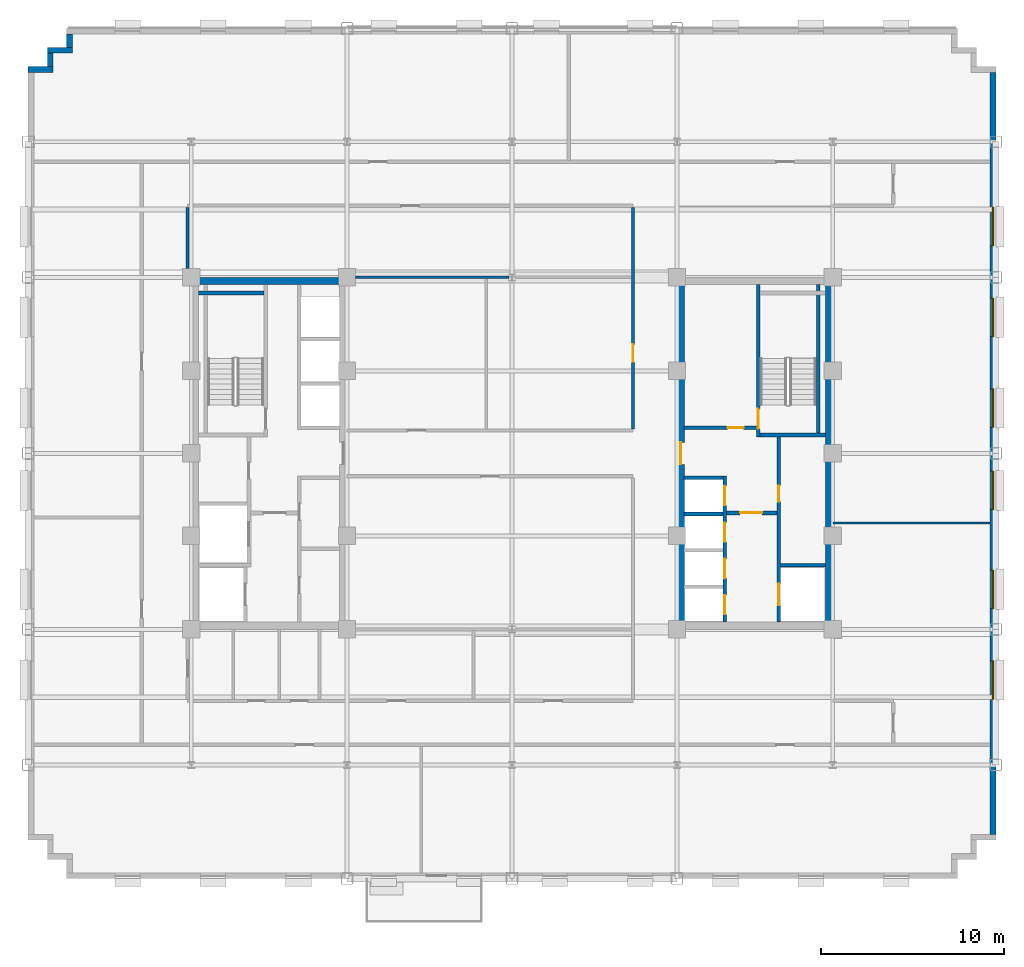
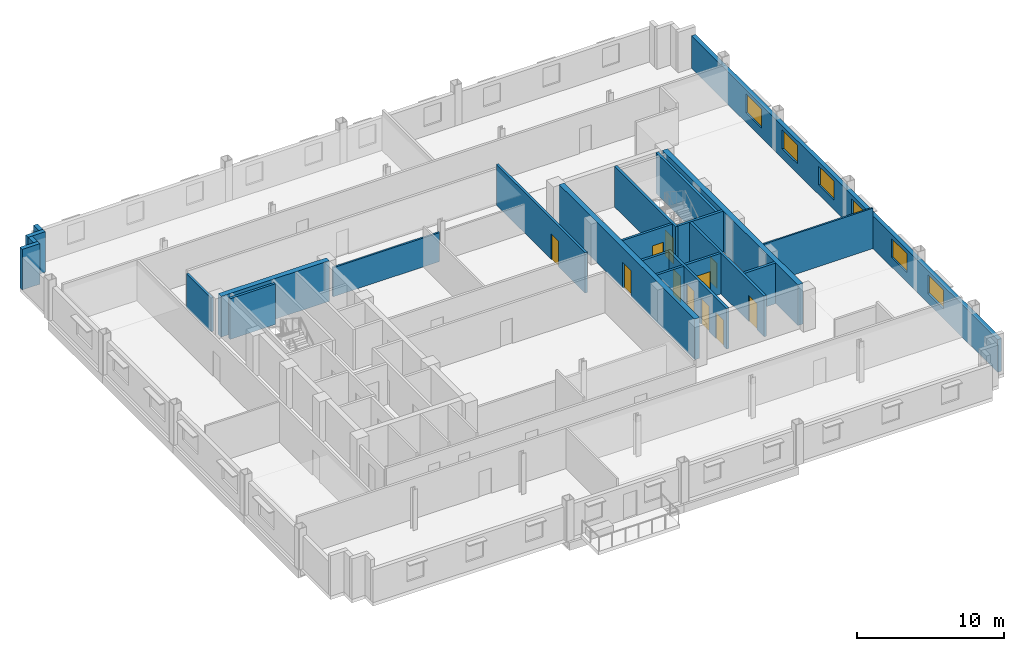
# One storey, part 8 of 14: 23 walls, 11 doors, 6 windows, 17 openings.
"""IFC4 building model written with IfcOpenShell, lengths in metres."""

import ifcopenshell
import ifcopenshell.guid

model = None  # the IFC model being written
_history = None  # IfcOwnerHistory: only IFC2X3 demands one
_inside = {}  # id of a spatial element -> (the spatial element, [elements in it])
_under = {}  # id of a project, library or spatial element -> (it, [spatial elements below it])
_declared = {}  # id of a project -> (the project, [libraries it declares])
_typed = {}  # id of a type object -> (the type object, [elements of that type])
_made_of = {}  # id of a material, layer set ... -> (it, [elements and type objects made of it])


def new_model(schema):
    """Start an empty IFC model of exactly this schema.

    Asked for "IFC4X3", IfcOpenShell would pick the latest addendum, in which some entities
    have other attributes; the version numbers below select the first issue.
    IFC2X3 requires an IfcOwnerHistory on every rooted entity: one is made here for all.
    """
    global model, _history
    if schema == "IFC4X3":
        model = ifcopenshell.file(schema_version=(4, 3, 0, 0))
    else:
        model = ifcopenshell.file(schema=schema)
    _inside.clear()
    _under.clear()
    _declared.clear()
    _typed.clear()
    _made_of.clear()
    _history = None
    if model.schema == "IFC2X3":
        org = make("IfcOrganization", Name="unknown")
        user = make(
            "IfcPersonAndOrganization",
            ThePerson=make("IfcPerson", FamilyName="unknown"),
            TheOrganization=org,
        )
        app = make(
            "IfcApplication",
            ApplicationDeveloper=org,
            Version="unknown",
            ApplicationFullName="unknown",
            ApplicationIdentifier="unknown",
        )
        _history = make(
            "IfcOwnerHistory",
            OwningUser=user,
            OwningApplication=app,
            ChangeAction="ADDED",
            CreationDate=0,
        )
    return model


def make(cls, **values):
    """One entity of the class cls with the attributes given. An attribute that is None is left unset."""
    return model.create_entity(
        cls, **{name: value for name, value in values.items() if value is not None}
    )


def rooted(cls, **values):
    """An entity with a GlobalId (a new one), such as an element, a storey or a relation."""
    return make(cls, GlobalId=ifcopenshell.guid.new(), OwnerHistory=_history, **values)


def si_unit(unit_type, name, prefix=None):
    """IfcSIUnit, for example si_unit("LENGTHUNIT", "METRE", prefix="MILLI")."""
    return make("IfcSIUnit", UnitType=unit_type, Prefix=prefix, Name=name)


def assignment(units):
    """IfcUnitAssignment: the units of a project."""
    return None if units is None else make("IfcUnitAssignment", Units=units)


def point(xyz):
    """IfcCartesianPoint."""
    return None if xyz is None else make("IfcCartesianPoint", Coordinates=xyz)


def direction(xyz):
    """IfcDirection."""
    return None if xyz is None else make("IfcDirection", DirectionRatios=xyz)


def frame(location, z_axis=None, x_axis=None):
    """IfcAxis2Placement3D, a coordinate frame: its origin and axes. An axis left out is left unset."""
    return make(
        "IfcAxis2Placement3D",
        Location=point(location),
        Axis=direction(z_axis),
        RefDirection=direction(x_axis),
    )


def frame_2d(location, x_axis=None):
    """IfcAxis2Placement2D, a coordinate frame in the plane: its origin and x axis."""
    return make(
        "IfcAxis2Placement2D", Location=point(location), RefDirection=direction(x_axis)
    )


def origin():
    """The frame at (0, 0, 0) with its axes left unset."""
    return frame((0.0, 0.0, 0.0))


def place(relative_to, where):
    """IfcLocalPlacement: puts the frame where relative to a parent placement (None: the world)."""
    return make(
        "IfcLocalPlacement", PlacementRelTo=relative_to, RelativePlacement=where
    )


def context(
    kind, dimensions, precision=None, world=None, true_north=None, identifier=None
):
    """IfcGeometricRepresentationContext, for example the 3D "Model" context."""
    return make(
        "IfcGeometricRepresentationContext",
        ContextIdentifier=identifier,
        ContextType=kind,
        CoordinateSpaceDimension=dimensions,
        Precision=precision,
        WorldCoordinateSystem=world,
        TrueNorth=true_north,
    )


def subcontext(parent, identifier, kind, view, scale=None):
    """IfcGeometricRepresentationSubContext, for example "Body" below "Model"."""
    return make(
        "IfcGeometricRepresentationSubContext",
        ContextIdentifier=identifier,
        ContextType=kind,
        ParentContext=parent,
        TargetScale=scale,
        TargetView=view,
    )


def project(units=None, contexts=None):
    """IfcProject with its units and contexts."""
    return rooted(
        "IfcProject",
        Name="project",
        RepresentationContexts=contexts,
        UnitsInContext=assignment(units),
    )


def spatial(cls, under=None, at=None, **own):
    """A site, building, storey or space (cls), placed at a placement, below another one or the project."""
    s = rooted(cls, ObjectPlacement=at, **own)
    if under is not None:
        _under.setdefault(under.id(), (under, []))[1].append(s)
    return s


def profile(cls, at=None, kind="AREA", **sizes):
    """A parametric profile (cls). Its sizes go by their IFC names, for example OverallWidth=200.0."""
    return make(cls, ProfileType=kind, Position=at, **sizes)


def rectangle(**sizes):
    """IfcRectangleProfileDef."""
    return profile("IfcRectangleProfileDef", **sizes)


def extrude(swept, where, along, depth):
    """IfcExtrudedAreaSolid: the profile swept, set in the frame where, extruded along a direction by depth."""
    return make(
        "IfcExtrudedAreaSolid",
        SweptArea=swept,
        Position=where,
        ExtrudedDirection=direction(along),
        Depth=depth,
    )


def shape(context_of_items, identifier, shape_type, items):
    """IfcShapeRepresentation: the items that make up one representation, for example the "Body"."""
    return make(
        "IfcShapeRepresentation",
        ContextOfItems=context_of_items,
        RepresentationIdentifier=identifier,
        RepresentationType=shape_type,
        Items=items,
    )


def source(mapping_origin, context_of_items, identifier, shape_type, items):
    """IfcRepresentationMap: a shape defined once, which mapped items show again and again."""
    return make(
        "IfcRepresentationMap",
        MappingOrigin=mapping_origin,
        MappedRepresentation=shape(context_of_items, identifier, shape_type, items),
    )


def transform(
    local_origin,
    x_axis=None,
    y_axis=None,
    z_axis=None,
    scale=None,
    scale2=None,
    scale3=None,
    uniform=True,
):
    """IfcCartesianTransformationOperator3D, or its non-uniform kind. x_axis, y_axis, z_axis: its Axis1, 2, 3."""
    if uniform:
        return make(
            "IfcCartesianTransformationOperator3D",
            Axis1=direction(x_axis),
            Axis2=direction(y_axis),
            LocalOrigin=point(local_origin),
            Scale=scale,
            Axis3=direction(z_axis),
        )
    return make(
        "IfcCartesianTransformationOperator3DnonUniform",
        Axis1=direction(x_axis),
        Axis2=direction(y_axis),
        LocalOrigin=point(local_origin),
        Scale=scale,
        Axis3=direction(z_axis),
        Scale2=scale2,
        Scale3=scale3,
    )


def mapped(mapping_source, mapping_target):
    """IfcMappedItem: shows the shape of a source again, moved by a transform."""
    return make(
        "IfcMappedItem", MappingSource=mapping_source, MappingTarget=mapping_target
    )


def material(Name=None, Category=None):
    """IfcMaterial."""
    return make("IfcMaterial", Name=Name, Category=Category)


def layer(
    of_material, thickness, ventilated=None, Name=None, Category=None, Priority=None
):
    """IfcMaterialLayer: one layer of a wall or slab, of a material (None: an air gap)."""
    return make(
        "IfcMaterialLayer",
        Material=of_material,
        LayerThickness=thickness,
        IsVentilated=ventilated,
        Name=Name,
        Category=Category,
        Priority=Priority,
    )


def layer_set(layers, Name=None):
    """IfcMaterialLayerSet."""
    return make("IfcMaterialLayerSet", MaterialLayers=layers, LayerSetName=Name)


def made_of(thing, what):
    """Note that an element or type object is made of a material, layer set ...; save() writes the relation."""
    if what is not None:
        _made_of.setdefault(what.id(), (what, []))[1].append(thing)
    return thing


def type_object(cls, material=None, **own):
    """A type object (cls), such as IfcWallType, which elements share."""
    return made_of(rooted(cls, **own), material)


def type_shapes(of_type, sources):
    """Give a type object the sources (RepresentationMaps) that its elements show as mapped items."""
    of_type.RepresentationMaps = sources


def element(
    cls,
    number,
    at=None,
    inside=None,
    cuts=None,
    type_object=None,
    material=None,
    context=None,
    identifier="Body",
    shape_type=None,
    held_by="IfcProductDefinitionShape",
    body=None,
    shapes=None,
    **own,
):
    """One element of the class cls, such as IfcWall. Its Tag is "e" and its number.

    at: its placement. inside: the storey or other place that contains it. cuts: it is an
    opening in that element (IfcRelVoidsElement). A single representation is given by context,
    identifier, shape_type and body (its items); several are given by shapes. held_by: the class
    of the entity that holds the representations. save() writes the other relations.
    """
    e = rooted(cls, Tag="e%d" % number, ObjectPlacement=at, **own)
    if body is not None:
        shapes = [shape(context, identifier, shape_type, body)]
    if shapes is not None:
        e.Representation = make(held_by, Representations=shapes)
    if inside is not None:
        _inside.setdefault(inside.id(), (inside, []))[1].append(e)
    if cuts is not None:
        rooted(
            "IfcRelVoidsElement", RelatingBuildingElement=cuts, RelatedOpeningElement=e
        )
    if type_object is not None:
        _typed.setdefault(type_object.id(), (type_object, []))[1].append(e)
    return made_of(e, material)


def fill(opening, filler):
    """IfcRelFillsElement: the door or window that sits in an opening."""
    return rooted(
        "IfcRelFillsElement",
        RelatingOpeningElement=opening,
        RelatedBuildingElement=filler,
    )


def aggregate(whole, parts):
    """IfcRelAggregates: a whole, such as a stair, and the parts it consists of."""
    return rooted("IfcRelAggregates", RelatingObject=whole, RelatedObjects=parts)


def save(model, path):
    """Write the relations noted so far, then the file.

    IfcRelAggregates (storeys below a building ...), IfcRelContainedInSpatialStructure (elements
    in a storey), IfcRelDefinesByType, IfcRelAssociatesMaterial and IfcRelDeclares: one each for
    every whole, place, type object, material and project.
    """
    for whole, parts in _under.values():
        aggregate(whole, parts)
    for where, things in _inside.values():
        rooted(
            "IfcRelContainedInSpatialStructure",
            RelatedElements=things,
            RelatingStructure=where,
        )
    for kind, things in _typed.values():
        rooted("IfcRelDefinesByType", RelatedObjects=things, RelatingType=kind)
    for what, things in _made_of.values():
        rooted("IfcRelAssociatesMaterial", RelatedObjects=things, RelatingMaterial=what)
    for by, libraries in _declared.values():
        rooted("IfcRelDeclares", RelatingContext=by, RelatedDefinitions=libraries)
    model.write(path)


model = new_model("IFC4")

# Units and contexts
model_context = context("Model", 3, precision=1e-05, world=origin(), true_north=direction((0.0, 1.0)))
body_context = subcontext(model_context, "Body", "Model", "MODEL_VIEW")
ifc_project = project(units=[si_unit("LENGTHUNIT", "METRE"), si_unit("AREAUNIT", "SQUARE_METRE"), si_unit("VOLUMEUNIT", "CUBIC_METRE"), si_unit("PLANEANGLEUNIT", "RADIAN"), si_unit("MASSUNIT", "GRAM", prefix="KILO")], contexts=[model_context])

# Site, building, storey
site_placement = place(None, origin())
site = spatial("IfcSite", under=ifc_project, at=site_placement, CompositionType="ELEMENT")
building_placement = place(site_placement, origin())
building = spatial("IfcBuilding", under=site, at=building_placement, Name="Nuvemarco Arch Tower", CompositionType="ELEMENT")
storey_placement = place(building_placement, frame((0.0, 0.0, 134.800048828125)))
storey = spatial("IfcBuildingStorey", under=building, at=storey_placement, Name="L35", CompositionType="ELEMENT", Elevation=134.800048828125)

# Wall, openings, windows
ifc_material_1 = material(Name="Precast concrete C45/55", Category="concrete")
ifc_layer_1 = layer(ifc_material_1, 0.320068359375, Name="EW-MID-320")
ifc_layer_set_1 = layer_set([ifc_layer_1], Name="Precast concrete C45/55")
wall_type_1 = type_object("IfcWallType", Name="EW-MID-320", PredefinedType="STANDARD", material=ifc_layer_set_1)
wall_1_placement = place(storey_placement, frame((26.239990234375, -20.783935546875, 0.0), z_axis=(0.0, 0.0, 1.0), x_axis=(0.0, 1.0, 0.0)))
wall_1 = element("IfcWall", 1, at=wall_1_placement, inside=storey, type_object=wall_type_1, Name="L35 exterior precast facade wall 6", PredefinedType="STANDARD", context=body_context, shape_type="SweptSolid", body=[
    extrude(rectangle(XDim=41.56787109375, YDim=0.320068359375, at=frame_2d((20.783935546875, 0.0))), origin(), (0.0, 0.0, 1.0), 2.704833984375),
])
opening_1_placement = place(wall_1_placement, frame((7.368896484375, 0.0, 0.800048828125)))
opening_1 = element("IfcOpeningElement", 2, at=opening_1_placement, cuts=wall_1, Name="Opening WN-5", PredefinedType="OPENING", context=body_context, shape_type="SweptSolid", body=[
    extrude(rectangle(XDim=2.10009765625, YDim=1.56005859375, at=frame_2d((1.050048828125, 0.780029296875))), frame((0.0, 0.169921875, 0.0), z_axis=(0.0, -1.0, 0.0), x_axis=(1.0, 0.0, 0.0)), (0.0, 0.0, 1.0), 0.340087890625),
])
opening_2_placement = place(wall_1_placement, frame((12.31494140625, 0.0, 0.800048828125)))
opening_2 = element("IfcOpeningElement", 3, at=opening_2_placement, cuts=wall_1, Name="Opening WN-5", PredefinedType="OPENING", context=body_context, shape_type="SweptSolid", body=[
    extrude(rectangle(XDim=2.10009765625, YDim=1.56005859375, at=frame_2d((1.050048828125, 0.780029296875))), frame((0.0, 0.169921875, 0.0), z_axis=(0.0, -1.0, 0.0), x_axis=(1.0, 0.0, 0.0)), (0.0, 0.0, 1.0), 0.340087890625),
])
opening_3_placement = place(wall_1_placement, frame((17.7109375, 0.0, 0.800048828125)))
opening_3 = element("IfcOpeningElement", 4, at=opening_3_placement, cuts=wall_1, Name="Opening WN-5", PredefinedType="OPENING", context=body_context, shape_type="SweptSolid", body=[
    extrude(rectangle(XDim=2.10009765625, YDim=1.56005859375, at=frame_2d((1.050048828125, 0.780029296875))), frame((0.0, 0.169921875, 0.0), z_axis=(0.0, -1.0, 0.0), x_axis=(1.0, 0.0, 0.0)), (0.0, 0.0, 1.0), 0.340087890625),
])
opening_4_placement = place(wall_1_placement, frame((22.20703125, 0.0, 0.800048828125)))
opening_4 = element("IfcOpeningElement", 5, at=opening_4_placement, cuts=wall_1, Name="Opening WN-5", PredefinedType="OPENING", context=body_context, shape_type="SweptSolid", body=[
    extrude(rectangle(XDim=2.10009765625, YDim=1.56005859375, at=frame_2d((1.050048828125, 0.780029296875))), frame((0.0, 0.169921875, 0.0), z_axis=(0.0, -1.0, 0.0), x_axis=(1.0, 0.0, 0.0)), (0.0, 0.0, 1.0), 0.340087890625),
])
opening_5_placement = place(wall_1_placement, frame((27.153076171875, 0.0, 0.800048828125)))
opening_5 = element("IfcOpeningElement", 6, at=opening_5_placement, cuts=wall_1, Name="Opening WN-5", PredefinedType="OPENING", context=body_context, shape_type="SweptSolid", body=[
    extrude(rectangle(XDim=2.10009765625, YDim=1.56005859375, at=frame_2d((1.050048828125, 0.780029296875))), frame((0.0, 0.169921875, 0.0), z_axis=(0.0, -1.0, 0.0), x_axis=(1.0, 0.0, 0.0)), (0.0, 0.0, 1.0), 0.340087890625),
])
opening_6_placement = place(wall_1_placement, frame((32.09912109375, 0.0, 0.800048828125)))
opening_6 = element("IfcOpeningElement", 7, at=opening_6_placement, cuts=wall_1, Name="Opening WN-5", PredefinedType="OPENING", context=body_context, shape_type="SweptSolid", body=[
    extrude(rectangle(XDim=2.10009765625, YDim=1.56005859375, at=frame_2d((1.050048828125, 0.780029296875))), frame((0.0, 0.169921875, 0.0), z_axis=(0.0, -1.0, 0.0), x_axis=(1.0, 0.0, 0.0)), (0.0, 0.0, 1.0), 0.340087890625),
])
ifc_material_2 = material(Name="Insulated solar-control glass", Category="glass")
window_type = type_object("IfcWindowType", Name="WN-MID-2100x1560", PartitioningType="DOUBLE_PANEL_VERTICAL", PredefinedType="WINDOW", material=ifc_material_2)
shared_shape_1 = source(origin(), body_context, "Body", "SweptSolid", [
    extrude(rectangle(XDim=2.10009765625, YDim=1.56005859375, at=frame_2d((1.050048828125, 0.780029296875))), frame((0.0, 0.030029296875, 0.0), z_axis=(0.0, -1.0, 0.0), x_axis=(1.0, 0.0, 0.0)), (0.0, 0.0, 1.0), 0.06005859375),
])
type_shapes(window_type, [shared_shape_1])
window_1_placement = place(opening_1_placement, origin())
window_1 = element("IfcWindow", 8, at=window_1_placement, inside=storey, type_object=window_type, Name="L35 punched facade window 2", OverallHeight=1.56005859375, OverallWidth=2.10009765625, PartitioningType="SINGLE_PANEL", PredefinedType="WINDOW", context=body_context, shape_type="MappedRepresentation", body=[
    mapped(shared_shape_1, transform((0.0, 0.0, 0.0), scale=1.0)),
])
fill(opening_1, window_1)
window_2_placement = place(opening_2_placement, origin())
window_2 = element("IfcWindow", 9, at=window_2_placement, inside=storey, type_object=window_type, Name="L35 punched facade window 3", OverallHeight=1.56005859375, OverallWidth=2.10009765625, PartitioningType="SINGLE_PANEL", PredefinedType="WINDOW", context=body_context, shape_type="MappedRepresentation", body=[
    mapped(shared_shape_1, transform((0.0, 0.0, 0.0), scale=1.0)),
])
fill(opening_2, window_2)
window_3_placement = place(opening_3_placement, origin())
window_3 = element("IfcWindow", 10, at=window_3_placement, inside=storey, type_object=window_type, Name="L35 punched facade window 4", OverallHeight=1.56005859375, OverallWidth=2.10009765625, PartitioningType="SINGLE_PANEL", PredefinedType="WINDOW", context=body_context, shape_type="MappedRepresentation", body=[
    mapped(shared_shape_1, transform((0.0, 0.0, 0.0), scale=1.0)),
])
fill(opening_3, window_3)
window_4_placement = place(opening_4_placement, origin())
window_4 = element("IfcWindow", 11, at=window_4_placement, inside=storey, type_object=window_type, Name="L35 punched facade window 5", OverallHeight=1.56005859375, OverallWidth=2.10009765625, PartitioningType="SINGLE_PANEL", PredefinedType="WINDOW", context=body_context, shape_type="MappedRepresentation", body=[
    mapped(shared_shape_1, transform((0.0, 0.0, 0.0), scale=1.0)),
])
fill(opening_4, window_4)
window_5_placement = place(opening_5_placement, origin())
window_5 = element("IfcWindow", 12, at=window_5_placement, inside=storey, type_object=window_type, Name="L35 punched facade window 6", OverallHeight=1.56005859375, OverallWidth=2.10009765625, PartitioningType="SINGLE_PANEL", PredefinedType="WINDOW", context=body_context, shape_type="MappedRepresentation", body=[
    mapped(shared_shape_1, transform((0.0, 0.0, 0.0), scale=1.0)),
])
fill(opening_5, window_5)
window_6_placement = place(opening_6_placement, origin())
window_6 = element("IfcWindow", 13, at=window_6_placement, inside=storey, type_object=window_type, Name="L35 punched facade window 7", OverallHeight=1.56005859375, OverallWidth=2.10009765625, PartitioningType="SINGLE_PANEL", PredefinedType="WINDOW", context=body_context, shape_type="MappedRepresentation", body=[
    mapped(shared_shape_1, transform((0.0, 0.0, 0.0), scale=1.0)),
])
fill(opening_6, window_6)

# Walls
wall_2_placement = place(storey_placement, frame((-24.139892578125, 22.14599609375, 0.0), z_axis=(0.0, 0.0, 1.0), x_axis=(0.0, 1.0, 0.0)))
element("IfcWall", 14, at=wall_2_placement, inside=storey, type_object=wall_type_1, Name="L35 exterior precast facade wall 12", PredefinedType="STANDARD", context=body_context, shape_type="SweptSolid", body=[
    extrude(rectangle(XDim=0.738037109375, YDim=0.320068359375, at=frame_2d((0.369140625, 0.0))), origin(), (0.0, 0.0, 1.0), 3.35986328125),
])
wall_3_placement = place(storey_placement, frame((-25.35009765625, 21.989990234375, 0.0), z_axis=(0.0, 0.0, 1.0), x_axis=(1.0, 0.0, 0.0)))
element("IfcWall", 15, at=wall_3_placement, inside=storey, type_object=wall_type_1, Name="L35 exterior precast facade wall 13", PredefinedType="STANDARD", context=body_context, shape_type="SweptSolid", body=[
    extrude(rectangle(XDim=1.3701171875, YDim=0.320068359375, at=frame_2d((0.68505859375, 0.0))), origin(), (0.0, 0.0, 1.0), 3.35986328125),
])
wall_4_placement = place(storey_placement, frame((-25.18994140625, 21.095947265625, 0.0), z_axis=(0.0, 0.0, 1.0), x_axis=(0.0, 1.0, 0.0)))
element("IfcWall", 16, at=wall_4_placement, inside=storey, type_object=wall_type_1, Name="L35 exterior precast facade wall 14", PredefinedType="STANDARD", context=body_context, shape_type="SweptSolid", body=[
    extrude(rectangle(XDim=0.738037109375, YDim=0.320068359375, at=frame_2d((0.369140625, 0.0))), origin(), (0.0, 0.0, 1.0), 3.35986328125),
])
wall_5_placement = place(storey_placement, frame((-26.39990234375, 20.93994140625, 0.0), z_axis=(0.0, 0.0, 1.0), x_axis=(1.0, 0.0, 0.0)))
element("IfcWall", 17, at=wall_5_placement, inside=storey, type_object=wall_type_1, Name="L35 exterior precast facade wall 15", PredefinedType="STANDARD", context=body_context, shape_type="SweptSolid", body=[
    extrude(rectangle(XDim=1.369873046875, YDim=0.320068359375, at=frame_2d((0.68505859375, 0.0))), origin(), (0.0, 0.0, 1.0), 3.35986328125),
])
ifc_material_3 = material(Name="Concrete C60/75", Category="concrete")
ifc_layer_2 = layer(ifc_material_3, 0.39990234375, Name="WL-CORE-400")
ifc_layer_set_2 = layer_set([ifc_layer_2], Name="Concrete C60/75")
wall_type_2 = type_object("IfcWallType", Name="WL-CORE-400", PredefinedType="SHEAR", material=ifc_layer_set_2)
wall_6_placement = place(storey_placement, frame((-17.5, 9.39990234375, 0.0), z_axis=(0.0, 0.0, 1.0), x_axis=(1.0, 0.0, 0.0)))
element("IfcWall", 18, at=wall_6_placement, inside=storey, type_object=wall_type_2, Name="L35 W-core shear wall N", PredefinedType="SHEAR", context=body_context, shape_type="SweptSolid", body=[
    extrude(rectangle(XDim=8.5, YDim=0.39990234375, at=frame_2d((4.25, 0.0))), origin(), (0.0, 0.0, 1.0), 3.369873046875),
])

# Wall, opening, door
wall_7_placement = place(storey_placement, frame((9.199951171875, -9.205078125, 0.0), z_axis=(0.0, 0.0, 1.0), x_axis=(0.0, 1.0, 0.0)))
wall_7 = element("IfcWall", 19, at=wall_7_placement, inside=storey, type_object=wall_type_2, Name="L35 E-core shear wall W", PredefinedType="SHEAR", context=body_context, shape_type="SweptSolid", body=[
    extrude(rectangle(XDim=18.41015625, YDim=0.39990234375, at=frame_2d((9.205078125, 0.0))), origin(), (0.0, 0.0, 1.0), 3.369873046875),
])
opening_7_placement = place(wall_7_placement, frame((8.60498046875, 0.0, 0.0)))
opening_7 = element("IfcOpeningElement", 20, at=opening_7_placement, cuts=wall_7, Name="Opening FD-2", PredefinedType="OPENING", context=body_context, shape_type="SweptSolid", body=[
    extrude(rectangle(XDim=1.199951171875, YDim=2.14990234375, at=frame_2d((0.60009765625, 1.074951171875))), frame((0.0, 0.2099609375, 0.0), z_axis=(0.0, -1.0, 0.0), x_axis=(1.0, 0.0, 0.0)), (0.0, 0.0, 1.0), 0.419921875),
])
ifc_material_4 = material(Name="Anodised steel fire door", Category="steel")
door_type_1 = type_object("IfcDoorType", Name="DR-FFLOB-FD", OperationType="NOTDEFINED", PredefinedType="DOOR", material=ifc_material_4)
shared_shape_2 = source(origin(), body_context, "Body", "SweptSolid", [
    extrude(rectangle(XDim=1.199951171875, YDim=2.14990234375, at=frame_2d((0.60009765625, 1.074951171875))), frame((0.0, 0.02490234375, 0.0), z_axis=(0.0, -1.0, 0.0), x_axis=(1.0, 0.0, 0.0)), (0.0, 0.0, 1.0), 0.050048828125),
])
type_shapes(door_type_1, [shared_shape_2])
door_1_placement = place(opening_7_placement, origin())
door_1 = element("IfcDoor", 21, at=door_1_placement, inside=storey, type_object=door_type_1, Name="L35 door FD-L35-ECORE-W", OperationType="SINGLE_SWING_RIGHT", OverallHeight=2.14990234375, OverallWidth=1.199951171875, PredefinedType="DOOR", context=body_context, shape_type="MappedRepresentation", body=[
    mapped(shared_shape_2, transform((0.0, 0.0, 0.0), scale=1.0)),
])
fill(opening_7, door_1)

# Wall
wall_8_placement = place(storey_placement, frame((17.300048828125, -9.205078125, 0.0), z_axis=(0.0, 0.0, 1.0), x_axis=(0.0, 1.0, 0.0)))
element("IfcWall", 22, at=wall_8_placement, inside=storey, type_object=wall_type_2, Name="L35 E-core shear wall E", PredefinedType="SHEAR", context=body_context, shape_type="SweptSolid", body=[
    extrude(rectangle(XDim=18.41015625, YDim=0.39990234375, at=frame_2d((9.205078125, 0.0))), origin(), (0.0, 0.0, 1.0), 3.369873046875),
])

# Wall, opening, door
ifc_material_5 = material(Name="Fire-rated gypsum drywall partition")
ifc_layer_3 = layer(ifc_material_5, 0.179931640625, Name="WL-CORR-180")
ifc_layer_set_3 = layer_set([ifc_layer_3], Name="Fire-rated gypsum drywall partition")
wall_type_3 = type_object("IfcWallType", Name="WL-CORR-180", PredefinedType="PARTITIONING", material=ifc_layer_set_3)
wall_9_placement = place(storey_placement, frame((9.39501953125, 1.39990234375, 0.0), z_axis=(0.0, 0.0, 1.0), x_axis=(1.0, 0.0, 0.0)))
wall_9 = element("IfcWall", 23, at=wall_9_placement, inside=storey, type_object=wall_type_3, Name="L35 interior wall IW-L35-EK-S", PredefinedType="PARTITIONING", context=body_context, shape_type="SweptSolid", body=[
    extrude(rectangle(XDim=3.949951171875, YDim=0.179931640625, at=frame_2d((1.97509765625, 0.0))), origin(), (0.0, 0.0, 1.0), 3.35986328125),
])
opening_8_placement = place(wall_9_placement, frame((2.364990234375, 0.0, 0.0)))
opening_8 = element("IfcOpeningElement", 24, at=opening_8_placement, cuts=wall_9, Name="Opening FD-4", PredefinedType="OPENING", context=body_context, shape_type="SweptSolid", body=[
    extrude(rectangle(XDim=0.8798828125, YDim=2.10009765625, at=frame_2d((0.43994140625, 1.050048828125))), frame((0.0, 0.099853515625, 0.0), z_axis=(0.0, -1.0, 0.0), x_axis=(1.0, 0.0, 0.0)), (0.0, 0.0, 1.0), 0.199951171875),
])
door_type_2 = type_object("IfcDoorType", Name="DR-RISER-FD", OperationType="NOTDEFINED", PredefinedType="DOOR", material=ifc_material_4)
shared_shape_3 = source(origin(), body_context, "Body", "SweptSolid", [
    extrude(rectangle(XDim=0.8798828125, YDim=2.10009765625, at=frame_2d((0.43994140625, 1.050048828125))), frame((0.0, 0.02490234375, 0.0), z_axis=(0.0, -1.0, 0.0), x_axis=(1.0, 0.0, 0.0)), (0.0, 0.0, 1.0), 0.050048828125),
])
type_shapes(door_type_2, [shared_shape_3])
door_2_placement = place(opening_8_placement, origin())
door_2 = element("IfcDoor", 25, at=door_2_placement, inside=storey, type_object=door_type_2, Name="L35 door FD-L35-EK1A", OperationType="SINGLE_SWING_LEFT", OverallHeight=2.10009765625, OverallWidth=0.8798828125, PredefinedType="DOOR", context=body_context, shape_type="MappedRepresentation", body=[
    mapped(shared_shape_3, transform((0.0, 0.0, 0.0), scale=1.0)),
])
fill(opening_8, door_2)

# Wall
wall_10_placement = place(storey_placement, frame((-17.699951171875, 10.071044921875, 0.0), z_axis=(0.0, 0.0, 1.0), x_axis=(0.0, 1.0, 0.0)))
element("IfcWall", 26, at=wall_10_placement, inside=storey, type_object=wall_type_3, Name="L35 interior wall IW-L35-017", PredefinedType="PARTITIONING", context=body_context, shape_type="SweptSolid", body=[
    extrude(rectangle(XDim=3.343017578125, YDim=0.179931640625, at=frame_2d((1.67138671875, 0.0))), origin(), (0.0, 0.0, 1.0), 2.81591796875),
])

# Wall, opening, door
wall_11_placement = place(storey_placement, frame((6.60009765625, 1.3359375, 0.0), z_axis=(0.0, 0.0, 1.0), x_axis=(0.0, 1.0, 0.0)))
wall_11 = element("IfcWall", 27, at=wall_11_placement, inside=storey, type_object=wall_type_3, Name="L35 interior wall IW-L35-026", PredefinedType="PARTITIONING", context=body_context, shape_type="SweptSolid", body=[
    extrude(rectangle(XDim=12.078125, YDim=0.179931640625, at=frame_2d((6.0390625, 0.0))), origin(), (0.0, 0.0, 1.0), 3.35986328125),
])
opening_9_placement = place(wall_11_placement, frame((3.652099609375, 0.0, 0.0)))
opening_9 = element("IfcOpeningElement", 28, at=opening_9_placement, cuts=wall_11, Name="Opening FD-5", PredefinedType="OPENING", context=body_context, shape_type="SweptSolid", body=[
    extrude(rectangle(XDim=0.9599609375, YDim=2.10009765625, at=frame_2d((0.47998046875, 1.050048828125))), frame((0.0, 0.099853515625, 0.0), z_axis=(0.0, -1.0, 0.0), x_axis=(1.0, 0.0, 0.0)), (0.0, 0.0, 1.0), 0.199951171875),
])
ifc_material_6 = material(Name="Timber fire door", Category="wood")
door_type_3 = type_object("IfcDoorType", Name="DR-CORR-FD", OperationType="NOTDEFINED", PredefinedType="DOOR", material=ifc_material_6)
shared_shape_4 = source(origin(), body_context, "Body", "SweptSolid", [
    extrude(rectangle(XDim=0.9599609375, YDim=2.10009765625, at=frame_2d((0.47998046875, 1.050048828125))), frame((0.0, 0.02490234375, 0.0), z_axis=(0.0, -1.0, 0.0), x_axis=(1.0, 0.0, 0.0)), (0.0, 0.0, 1.0), 0.050048828125),
])
type_shapes(door_type_3, [shared_shape_4])
door_3_placement = place(opening_9_placement, origin())
door_3 = element("IfcDoor", 29, at=door_3_placement, inside=storey, type_object=door_type_3, Name="L35 door DR-L35-C_N2", OperationType="SINGLE_SWING_RIGHT", OverallHeight=2.10009765625, OverallWidth=0.9599609375, PredefinedType="DOOR", context=body_context, shape_type="MappedRepresentation", body=[
    mapped(shared_shape_4, transform((0.0, 0.0, 0.0), scale=1.0)),
])
fill(opening_9, door_3)

# Walls
ifc_material_7 = material(Name="Glazed acoustic office partition")
ifc_layer_4 = layer(ifc_material_7, 0.1298828125, Name="WL-EXEC-130")
ifc_layer_set_4 = layer_set([ifc_layer_4], Name="Glazed acoustic office partition")
wall_type_4 = type_object("IfcWallType", Name="WL-EXEC-130", PredefinedType="PARTITIONING", material=ifc_layer_set_4)
wall_12_placement = place(storey_placement, frame((17.5, -3.800048828125, 0.0), z_axis=(0.0, 0.0, 1.0), x_axis=(1.0, 0.0, 0.0)))
element("IfcWall", 30, at=wall_12_placement, inside=storey, type_object=wall_type_4, Name="L35 interior wall IW-L35-006", PredefinedType="PARTITIONING", context=body_context, shape_type="SweptSolid", body=[
    extrude(rectangle(XDim=8.580078125, YDim=0.1298828125, at=frame_2d((4.2900390625, 0.0))), origin(), (0.0, 0.0, 1.0), 3.35986328125),
])
ifc_material_8 = material(Name="Gypsum plasterboard partition")
ifc_layer_5 = layer(ifc_material_8, 0.139892578125, Name="WL-ROOM-140")
ifc_layer_set_5 = layer_set([ifc_layer_5], Name="Gypsum plasterboard partition")
wall_type_5 = type_object("IfcWallType", Name="WL-ROOM-140", PredefinedType="PARTITIONING", material=ifc_layer_set_5)
wall_13_placement = place(storey_placement, frame((-8.529052734375, 9.60009765625, 0.0), z_axis=(0.0, 0.0, 1.0), x_axis=(1.0, 0.0, 0.0)))
element("IfcWall", 31, at=wall_13_placement, inside=storey, type_object=wall_type_5, Name="L35 interior wall IW-L35-010", PredefinedType="PARTITIONING", context=body_context, shape_type="SweptSolid", body=[
    extrude(rectangle(XDim=8.35302734375, YDim=0.139892578125, at=frame_2d((4.176513671875, 0.0))), origin(), (0.0, 0.0, 1.0), 2.405029296875),
])
ifc_material_9 = material(Name="Concrete C50/60", Category="concrete")
ifc_layer_6 = layer(ifc_material_9, 0.199951171875, Name="WL-SHAFT-220")
ifc_layer_set_6 = layer_set([ifc_layer_6], Name="Concrete C50/60")
wall_type_6 = type_object("IfcWallType", Name="WL-SHAFT-220", PredefinedType="SHEAR", material=ifc_layer_set_6)
wall_14_placement = place(storey_placement, frame((-17.10498046875, 8.75, 0.0), z_axis=(0.0, 0.0, 1.0), x_axis=(1.0, 0.0, 0.0)))
element("IfcWall", 32, at=wall_14_placement, inside=storey, type_object=wall_type_6, Name="L35 structural shaft wall SW-L35-W-ST1N", PredefinedType="SHEAR", context=body_context, shape_type="SweptSolid", body=[
    extrude(rectangle(XDim=3.570068359375, YDim=0.199951171875, at=frame_2d((1.78515625, 0.0))), origin(), (0.0, 0.0, 1.0), 3.369873046875),
])

# Wall, opening, door
wall_15_placement = place(storey_placement, frame((13.43994140625, 0.89990234375, 0.0), z_axis=(0.0, 0.0, 1.0), x_axis=(0.0, 1.0, 0.0)))
wall_15 = element("IfcWall", 33, at=wall_15_placement, inside=storey, type_object=wall_type_6, Name="L35 structural shaft wall SW-L35-E-ST2W", PredefinedType="SHEAR", context=body_context, shape_type="SweptSolid", body=[
    extrude(rectangle(XDim=8.30517578125, YDim=0.199951171875, at=frame_2d((4.152587890625, 0.0))), origin(), (0.0, 0.0, 1.0), 3.369873046875),
])
opening_10_placement = place(wall_15_placement, frame((0.429931640625, 0.0, 0.0)))
opening_10 = element("IfcOpeningElement", 34, at=opening_10_placement, cuts=wall_15, Name="Opening FD-1", PredefinedType="OPENING", context=body_context, shape_type="SweptSolid", body=[
    extrude(rectangle(XDim=1.10009765625, YDim=2.14990234375, at=frame_2d((0.550048828125, 1.074951171875))), frame((0.0, 0.10986328125, 0.0), z_axis=(0.0, -1.0, 0.0), x_axis=(1.0, 0.0, 0.0)), (0.0, 0.0, 1.0), 0.219970703125),
])
door_type_4 = type_object("IfcDoorType", Name="DR-STAIR-FD", OperationType="NOTDEFINED", PredefinedType="DOOR", material=ifc_material_4)
shared_shape_5 = source(origin(), body_context, "Body", "SweptSolid", [
    extrude(rectangle(XDim=1.10009765625, YDim=2.14990234375, at=frame_2d((0.550048828125, 1.074951171875))), frame((0.0, 0.02490234375, 0.0), z_axis=(0.0, -1.0, 0.0), x_axis=(1.0, 0.0, 0.0)), (0.0, 0.0, 1.0), 0.050048828125),
])
type_shapes(door_type_4, [shared_shape_5])
door_4_placement = place(opening_10_placement, origin())
door_4 = element("IfcDoor", 35, at=door_4_placement, inside=storey, type_object=door_type_4, Name="L35 door FD-L35-ST2", OperationType="SINGLE_SWING_RIGHT", OverallHeight=2.14990234375, OverallWidth=1.10009765625, PredefinedType="DOOR", context=body_context, shape_type="MappedRepresentation", body=[
    mapped(shared_shape_5, transform((0.0, 0.0, 0.0), scale=1.0)),
])
fill(opening_10, door_4)

# Walls
wall_16_placement = place(storey_placement, frame((13.534912109375, 1.0, 0.0), z_axis=(0.0, 0.0, 1.0), x_axis=(1.0, 0.0, 0.0)))
element("IfcWall", 36, at=wall_16_placement, inside=storey, type_object=wall_type_6, Name="L35 structural shaft wall SW-L35-E-ST2S", PredefinedType="SHEAR", context=body_context, shape_type="SweptSolid", body=[
    extrude(rectangle(XDim=3.570068359375, YDim=0.199951171875, at=frame_2d((1.78515625, 0.0))), origin(), (0.0, 0.0, 1.0), 3.369873046875),
])
wall_17_placement = place(storey_placement, frame((16.699951171875, 1.094970703125, 0.0), z_axis=(0.0, 0.0, 1.0), x_axis=(0.0, 1.0, 0.0)))
element("IfcWall", 37, at=wall_17_placement, inside=storey, type_object=wall_type_6, Name="L35 structural shaft wall SW-L35-E-ST2E", PredefinedType="SHEAR", context=body_context, shape_type="SweptSolid", body=[
    extrude(rectangle(XDim=8.110107421875, YDim=0.199951171875, at=frame_2d((4.05517578125, 0.0))), origin(), (0.0, 0.0, 1.0), 3.369873046875),
])

# Wall, openings, doors
wall_18_placement = place(storey_placement, frame((14.550048828125, -9.205078125, 0.0), z_axis=(0.0, 0.0, 1.0), x_axis=(0.0, 1.0, 0.0)))
wall_18 = element("IfcWall", 38, at=wall_18_placement, inside=storey, type_object=wall_type_6, Name="L35 structural shaft wall SW-L35-E-SHW", PredefinedType="SHEAR", context=body_context, shape_type="SweptSolid", body=[
    extrude(rectangle(XDim=10.110107421875, YDim=0.199951171875, at=frame_2d((5.05517578125, 0.0))), origin(), (0.0, 0.0, 1.0), 3.369873046875),
])
opening_11_placement = place(wall_18_placement, frame((6.56494140625, 0.0, 0.0)))
opening_11 = element("IfcOpeningElement", 39, at=opening_11_placement, cuts=wall_18, Name="Opening FD-4", PredefinedType="OPENING", context=body_context, shape_type="SweptSolid", body=[
    extrude(rectangle(XDim=0.8798828125, YDim=2.10009765625, at=frame_2d((0.43994140625, 1.050048828125))), frame((0.0, 0.10986328125, 0.0), z_axis=(0.0, -1.0, 0.0), x_axis=(1.0, 0.0, 0.0)), (0.0, 0.0, 1.0), 0.219970703125),
])
opening_12_placement = place(wall_18_placement, frame((0.929931640625, 0.0, 0.0)))
opening_12 = element("IfcOpeningElement", 40, at=opening_12_placement, cuts=wall_18, Name="Opening LD-2", PredefinedType="OPENING", context=body_context, shape_type="SweptSolid", body=[
    extrude(rectangle(XDim=1.14990234375, YDim=2.14990234375, at=frame_2d((0.574951171875, 1.074951171875))), frame((0.0, 0.10986328125, 0.0), z_axis=(0.0, -1.0, 0.0), x_axis=(1.0, 0.0, 0.0)), (0.0, 0.0, 1.0), 0.219970703125),
])
door_5_placement = place(opening_11_placement, origin())
door_5 = element("IfcDoor", 41, at=door_5_placement, inside=storey, type_object=door_type_2, Name="L35 door FD-L35-ERIS", OperationType="SINGLE_SWING_RIGHT", OverallHeight=2.10009765625, OverallWidth=0.8798828125, PredefinedType="DOOR", context=body_context, shape_type="MappedRepresentation", body=[
    mapped(shared_shape_3, transform((0.0, 0.0, 0.0), scale=1.0)),
])
fill(opening_11, door_5)
ifc_material_10 = material(Name="Stainless steel lift door", Category="steel")
door_type_5 = type_object("IfcDoorType", Name="DR-LIFT-FIRE", OperationType="DOUBLE_DOOR_SLIDING", PredefinedType="DOOR", material=ifc_material_10)
shared_shape_6 = source(origin(), body_context, "Body", "SweptSolid", [
    extrude(rectangle(XDim=1.14990234375, YDim=2.14990234375, at=frame_2d((0.574951171875, 1.074951171875))), frame((0.0, 0.02490234375, 0.0), z_axis=(0.0, -1.0, 0.0), x_axis=(1.0, 0.0, 0.0)), (0.0, 0.0, 1.0), 0.050048828125),
])
type_shapes(door_type_5, [shared_shape_6])
door_6_placement = place(opening_12_placement, origin())
door_6 = element("IfcDoor", 42, at=door_6_placement, inside=storey, type_object=door_type_5, Name="L35 Lift landing sliding door FFL-2", OperationType="DOUBLE_DOOR_SLIDING", OverallHeight=2.14990234375, OverallWidth=1.14990234375, PredefinedType="DOOR", context=body_context, shape_type="MappedRepresentation", body=[
    mapped(shared_shape_6, transform((0.0, 0.0, 0.0), scale=1.0)),
])
fill(opening_12, door_6)

# Wall
wall_19_placement = place(storey_placement, frame((14.64501953125, -6.10009765625, 0.0), z_axis=(0.0, 0.0, 1.0), x_axis=(1.0, 0.0, 0.0)))
element("IfcWall", 43, at=wall_19_placement, inside=storey, type_object=wall_type_6, Name="L35 structural shaft wall SW-L35-E-SH1", PredefinedType="SHEAR", context=body_context, shape_type="SweptSolid", body=[
    extrude(rectangle(XDim=2.4599609375, YDim=0.199951171875, at=frame_2d((1.22998046875, 0.0))), origin(), (0.0, 0.0, 1.0), 3.369873046875),
])

# Wall, openings, doors
wall_20_placement = place(storey_placement, frame((11.60009765625, -9.205078125, 0.0), z_axis=(0.0, 0.0, 1.0), x_axis=(0.0, 1.0, 0.0)))
wall_20 = element("IfcWall", 44, at=wall_20_placement, inside=storey, type_object=wall_type_6, Name="L35 structural shaft wall SW-L35-E-PME", PredefinedType="SHEAR", context=body_context, shape_type="SweptSolid", body=[
    extrude(rectangle(XDim=7.97509765625, YDim=0.199951171875, at=frame_2d((3.987548828125, 0.0))), origin(), (0.0, 0.0, 1.0), 3.369873046875),
])
opening_13_placement = place(wall_20_placement, frame((0.419921875, 0.0, 0.0)))
opening_13 = element("IfcOpeningElement", 45, at=opening_13_placement, cuts=wall_20, Name="Opening LD-1", PredefinedType="OPENING", context=body_context, shape_type="SweptSolid", body=[
    extrude(rectangle(XDim=1.050048828125, YDim=2.14990234375, at=frame_2d((0.52490234375, 1.074951171875))), frame((0.0, 0.10986328125, 0.0), z_axis=(0.0, -1.0, 0.0), x_axis=(1.0, 0.0, 0.0)), (0.0, 0.0, 1.0), 0.219970703125),
])
opening_14_placement = place(wall_20_placement, frame((2.39990234375, 0.0, 0.0)))
opening_14 = element("IfcOpeningElement", 46, at=opening_14_placement, cuts=wall_20, Name="Opening LD-1", PredefinedType="OPENING", context=body_context, shape_type="SweptSolid", body=[
    extrude(rectangle(XDim=1.050048828125, YDim=2.14990234375, at=frame_2d((0.52490234375, 1.074951171875))), frame((0.0, 0.10986328125, 0.0), z_axis=(0.0, -1.0, 0.0), x_axis=(1.0, 0.0, 0.0)), (0.0, 0.0, 1.0), 0.219970703125),
])
opening_15_placement = place(wall_20_placement, frame((4.3798828125, 0.0, 0.0)))
opening_15 = element("IfcOpeningElement", 47, at=opening_15_placement, cuts=wall_20, Name="Opening LD-1", PredefinedType="OPENING", context=body_context, shape_type="SweptSolid", body=[
    extrude(rectangle(XDim=1.050048828125, YDim=2.14990234375, at=frame_2d((0.52490234375, 1.074951171875))), frame((0.0, 0.10986328125, 0.0), z_axis=(0.0, -1.0, 0.0), x_axis=(1.0, 0.0, 0.0)), (0.0, 0.0, 1.0), 0.219970703125),
])
opening_16_placement = place(wall_20_placement, frame((6.360107421875, 0.0, 0.0)))
opening_16 = element("IfcOpeningElement", 48, at=opening_16_placement, cuts=wall_20, Name="Opening LD-1", PredefinedType="OPENING", context=body_context, shape_type="SweptSolid", body=[
    extrude(rectangle(XDim=1.050048828125, YDim=2.14990234375, at=frame_2d((0.52490234375, 1.074951171875))), frame((0.0, 0.10986328125, 0.0), z_axis=(0.0, -1.0, 0.0), x_axis=(1.0, 0.0, 0.0)), (0.0, 0.0, 1.0), 0.219970703125),
])
door_type_6 = type_object("IfcDoorType", Name="DR-LIFT-PASS", OperationType="DOUBLE_DOOR_SLIDING", PredefinedType="DOOR", material=ifc_material_10)
shared_shape_7 = source(origin(), body_context, "Body", "SweptSolid", [
    extrude(rectangle(XDim=1.050048828125, YDim=2.14990234375, at=frame_2d((0.52490234375, 1.074951171875))), frame((0.0, 0.02490234375, 0.0), z_axis=(0.0, -1.0, 0.0), x_axis=(1.0, 0.0, 0.0)), (0.0, 0.0, 1.0), 0.050048828125),
])
type_shapes(door_type_6, [shared_shape_7])
door_7_placement = place(opening_13_placement, origin())
door_7 = element("IfcDoor", 49, at=door_7_placement, inside=storey, type_object=door_type_6, Name="L35 Lift landing sliding door PM-1", OperationType="DOUBLE_DOOR_SLIDING", OverallHeight=2.14990234375, OverallWidth=1.050048828125, PredefinedType="DOOR", context=body_context, shape_type="MappedRepresentation", body=[
    mapped(shared_shape_7, transform((0.0, 0.0, 0.0), scale=1.0)),
])
fill(opening_13, door_7)
door_8_placement = place(opening_14_placement, origin())
door_8 = element("IfcDoor", 50, at=door_8_placement, inside=storey, type_object=door_type_6, Name="L35 Lift landing sliding door PM-2", OperationType="DOUBLE_DOOR_SLIDING", OverallHeight=2.14990234375, OverallWidth=1.050048828125, PredefinedType="DOOR", context=body_context, shape_type="MappedRepresentation", body=[
    mapped(shared_shape_7, transform((0.0, 0.0, 0.0), scale=1.0)),
])
fill(opening_14, door_8)
door_9_placement = place(opening_15_placement, origin())
door_9 = element("IfcDoor", 51, at=door_9_placement, inside=storey, type_object=door_type_6, Name="L35 Lift landing sliding door PM-3", OperationType="DOUBLE_DOOR_SLIDING", OverallHeight=2.14990234375, OverallWidth=1.050048828125, PredefinedType="DOOR", context=body_context, shape_type="MappedRepresentation", body=[
    mapped(shared_shape_7, transform((0.0, 0.0, 0.0), scale=1.0)),
])
fill(opening_15, door_9)
door_10_placement = place(opening_16_placement, origin())
door_10 = element("IfcDoor", 52, at=door_10_placement, inside=storey, type_object=door_type_6, Name="L35 Lift landing sliding door PM-4", OperationType="DOUBLE_DOOR_SLIDING", OverallHeight=2.14990234375, OverallWidth=1.050048828125, PredefinedType="DOOR", context=body_context, shape_type="MappedRepresentation", body=[
    mapped(shared_shape_7, transform((0.0, 0.0, 0.0), scale=1.0)),
])
fill(opening_16, door_10)

# Wall, opening, door
wall_21_placement = place(storey_placement, frame((11.695068359375, -3.25, 0.0), z_axis=(0.0, 0.0, 1.0), x_axis=(1.0, 0.0, 0.0)))
wall_21 = element("IfcWall", 53, at=wall_21_placement, inside=storey, type_object=wall_type_6, Name="L35 structural shaft wall SW-L35-E-FFN", PredefinedType="SHEAR", context=body_context, shape_type="SweptSolid", body=[
    extrude(rectangle(XDim=2.760009765625, YDim=0.199951171875, at=frame_2d((1.3798828125, 0.0))), origin(), (0.0, 0.0, 1.0), 3.369873046875),
])
opening_17_placement = place(wall_21_placement, frame((0.7548828125, 0.0, 0.0)))
opening_17 = element("IfcOpeningElement", 54, at=opening_17_placement, cuts=wall_21, Name="Opening FD-2", PredefinedType="OPENING", context=body_context, shape_type="SweptSolid", body=[
    extrude(rectangle(XDim=1.199951171875, YDim=2.14990234375, at=frame_2d((0.60009765625, 1.074951171875))), frame((0.0, 0.10986328125, 0.0), z_axis=(0.0, -1.0, 0.0), x_axis=(1.0, 0.0, 0.0)), (0.0, 0.0, 1.0), 0.219970703125),
])
door_11_placement = place(opening_17_placement, origin())
door_11 = element("IfcDoor", 55, at=door_11_placement, inside=storey, type_object=door_type_1, Name="L35 door FD-L35-EFF2", OperationType="SINGLE_SWING_RIGHT", OverallHeight=2.14990234375, OverallWidth=1.199951171875, PredefinedType="DOOR", context=body_context, shape_type="MappedRepresentation", body=[
    mapped(shared_shape_2, transform((0.0, 0.0, 0.0), scale=1.0)),
])
fill(opening_17, door_11)

# Walls
for number, where, z_axis, x_axis, name in (
    (56, (9.39501953125, -3.31005859375, 0.0), (0.0, 0.0, 1.0), (1.0, 0.0, 0.0), "L35 structural shaft wall SW-L35-E-PMD3"),
    (57, (9.39501953125, -1.330078125, 0.0), (0.0, 0.0, 1.0), (1.0, 0.0, 0.0), "L35 structural shaft wall SW-L35-E-PMD4"),
):
    element("IfcWall", number, at=place(storey_placement, frame(where, z_axis=z_axis, x_axis=x_axis)), inside=storey, type_object=wall_type_6, Name=name, PredefinedType="SHEAR", context=body_context, shape_type="SweptSolid", body=[
        extrude(rectangle(XDim=2.10986328125, YDim=0.199951171875, at=frame_2d((1.054931640625, 0.0))), origin(), (0.0, 0.0, 1.0), 3.369873046875),
    ])

save(model, "model.ifc")
